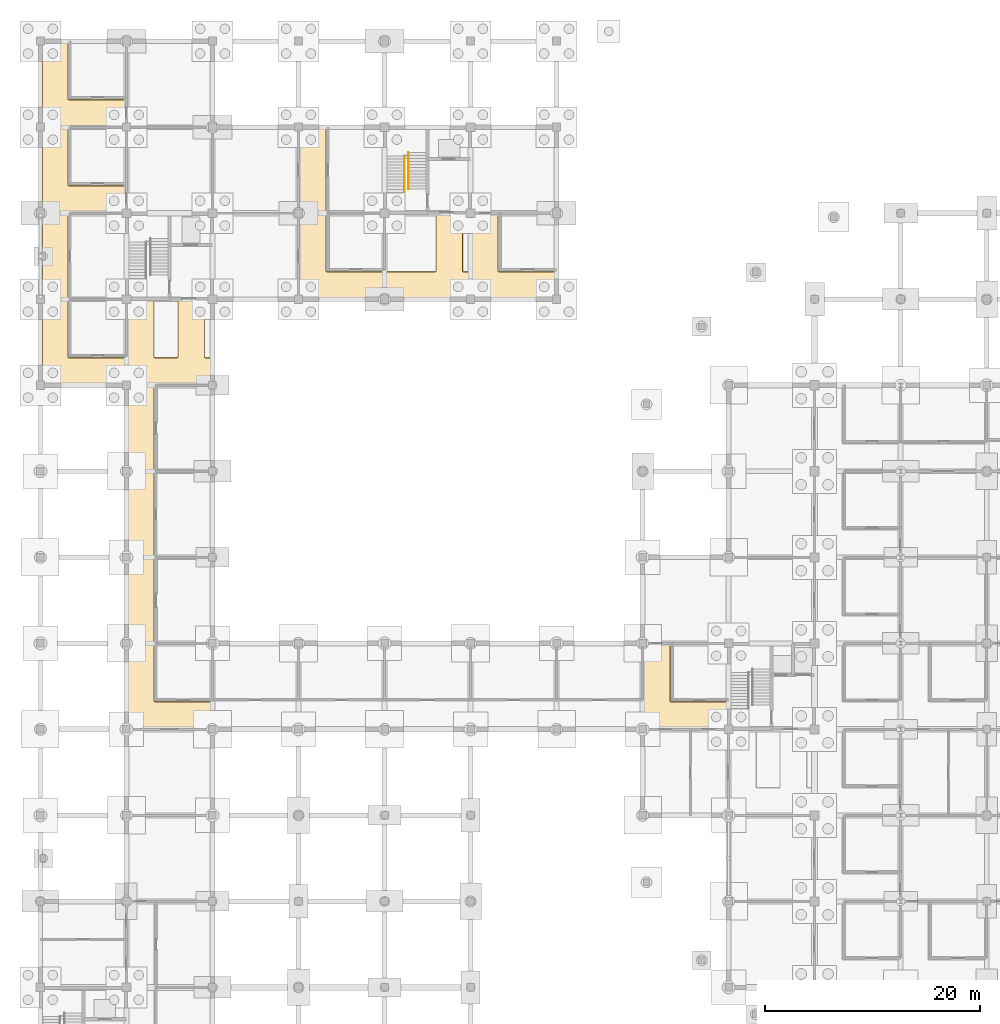
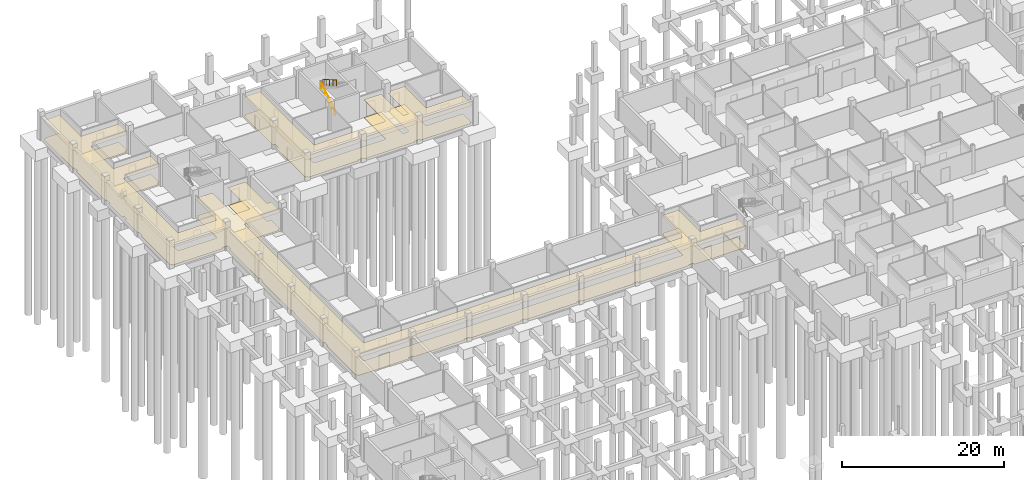
# One storey, part 43 of 48: 4 coverings, 2 railings.
"""IFC4 building model written with IfcOpenShell, lengths in metres."""

from ifc_helpers import new_model, si_unit, derived_unit, direction, frame, origin, origin_2d, place, context, subcontext, project, spatial, polyline, circle, outline, extrude, material, layer, layer_set, type_object, element, save


model = new_model("IFC4")

# Units and contexts
model_context = context("Model", 3, precision=1e-05, world=origin(), true_north=direction((0.0, 1.0)))
body_context = subcontext(model_context, "Body", "Model", "MODEL_VIEW")
ifc_project = project(units=[si_unit("LENGTHUNIT", "METRE"), si_unit("AREAUNIT", "SQUARE_METRE"), si_unit("VOLUMEUNIT", "CUBIC_METRE"), si_unit("PLANEANGLEUNIT", "RADIAN"), si_unit("MASSUNIT", "GRAM", prefix="KILO"), derived_unit("THERMALTRANSMITTANCEUNIT", [(si_unit("MASSUNIT", "GRAM", prefix="KILO"), 1), (si_unit("TIMEUNIT", "SECOND"), -3), (si_unit("THERMODYNAMICTEMPERATUREUNIT", "KELVIN"), -1)])], contexts=[model_context])

# Site, building, storey
site_placement = place(None, origin())
site = spatial("IfcSite", under=ifc_project, at=site_placement, CompositionType="ELEMENT")
building_placement = place(site_placement, origin())
building = spatial("IfcBuilding", under=site, at=building_placement, Name="Veyamyaing Civic Hall", CompositionType="ELEMENT")
storey_placement = place(building_placement, frame((0.0, 0.0, -4.2900390625)))
storey = spatial("IfcBuildingStorey", under=building, at=storey_placement, Name="B1", CompositionType="ELEMENT", Elevation=-4.2900390625)

# Coverings
ifc_material_1 = material(Name="Perforated acoustic gypsum ceiling board")
ifc_layer_1 = layer(ifc_material_1, 0.02490234375, Name="Perforated acoustic gypsum ceiling board")
ifc_layer_set_1 = layer_set([ifc_layer_1], Name="Perforated acoustic gypsum ceiling board")
covering_type_1 = type_object("IfcCoveringType", Name="CLG-01", PredefinedType="CEILING", material=ifc_layer_set_1)
covering_1_placement = place(storey_placement, frame((0.0, 0.0, 2.699951171875)))
element("IfcCovering", 1, at=covering_1_placement, inside=storey, type_object=covering_type_1, Name="Acoustic suspended ceiling CLG-01 B1-C01", PredefinedType="CEILING", context=body_context, shape_type="SweptSolid", body=[
    extrude(outline(polyline([(2.575439453125, 106.643310546875), (2.580810546875, 106.6220703125), (2.597412109375, 106.597412109375), (2.62158203125, 106.581298828125), (2.652587890625, 106.574951171875), (7.925048828125, 106.574951171875), (7.925048828125, 104.360107421875), (7.639892578125, 104.360107421875), (7.639892578125, 104.074951171875), (2.652587890625, 104.074951171875), (2.620849609375, 104.068603515625), (2.6025390625, 104.057861328125), (2.58837890625, 104.0419921875), (2.576904296875, 104.014404296875), (2.574951171875, 98.652587890625), (2.581298828125, 98.62158203125), (2.597412109375, 98.597412109375), (2.62158203125, 98.581298828125), (2.652587890625, 98.574951171875), (7.925048828125, 98.574951171875), (7.925048828125, 96.385009765625), (7.614990234375, 96.385009765625), (7.614990234375, 96.074951171875), (2.65185546875, 96.074951171875), (2.62841796875, 96.071533203125), (2.6083984375, 96.06201171875), (2.5927734375, 96.0478515625), (2.578369140625, 96.02099609375), (2.574951171875, 95.998291015625), (2.574951171875, 82.65185546875), (2.57861328125, 82.62841796875), (2.588134765625, 82.60791015625), (2.5966796875, 82.597412109375), (2.615234375, 82.583740234375), (2.627685546875, 82.57861328125), (2.65185546875, 82.574951171875), (7.998291015625, 82.574951171875), (8.021728515625, 82.57861328125), (8.0419921875, 82.588134765625), (8.052490234375, 82.5966796875), (8.06640625, 82.615234375), (8.0712890625, 82.627685546875), (8.074951171875, 82.65185546875), (8.074951171875, 87.614990234375), (8.385009765625, 87.614990234375), (8.385009765625, 87.925048828125), (10.574951171875, 87.925048828125), (10.574951171875, 82.652587890625), (10.581298828125, 82.620849609375), (10.59228515625, 82.6025390625), (10.6083984375, 82.587890625), (10.62841796875, 82.57861328125), (10.65185546875, 82.574951171875), (12.697509765625, 82.574951171875), (12.729248046875, 82.581298828125), (12.747314453125, 82.59228515625), (12.76220703125, 82.6083984375), (12.771484375, 82.62841796875), (12.77490234375, 82.65185546875), (12.77490234375, 87.925048828125), (15.27490234375, 87.925048828125), (15.275390625, 82.643310546875), (15.28076171875, 82.6220703125), (15.297607421875, 82.5966796875), (15.314697265625, 82.583984375), (15.3349609375, 82.576904296875), (15.844970703125, 82.574951171875), (15.844970703125, 80.3349609375), (15.6650390625, 80.3349609375), (15.6650390625, 80.074951171875), (10.652587890625, 80.074951171875), (10.62158203125, 80.06884765625), (10.597412109375, 80.052734375), (10.580810546875, 80.028076171875), (10.575439453125, 80.006591796875), (10.574951171875, 50.652587890625), (10.581298828125, 50.62158203125), (10.597412109375, 50.597412109375), (10.62158203125, 50.581298828125), (10.652587890625, 50.574951171875), (56.006591796875, 50.575439453125), (56.028076171875, 50.580810546875), (56.052734375, 50.597412109375), (56.06884765625, 50.62158203125), (56.074951171875, 50.652587890625), (56.074951171875, 55.6650390625), (56.3349609375, 55.6650390625), (56.3349609375, 55.925048828125), (58.574951171875, 55.925048828125), (58.574951171875, 50.65185546875), (58.57861328125, 50.62841796875), (58.588134765625, 50.60791015625), (58.5966796875, 50.597412109375), (58.615234375, 50.583740234375), (58.627685546875, 50.57861328125), (58.65185546875, 50.574951171875), (63.925048828125, 50.574951171875), (63.925048828125, 48.385009765625), (63.614990234375, 48.385009765625), (63.614990234375, 48.074951171875), (56.3349609375, 48.074951171875), (56.3349609375, 48.3349609375), (55.6650390625, 48.3349609375), (55.6650390625, 48.155029296875), (48.3349609375, 48.155029296875), (48.3349609375, 48.3349609375), (47.6650390625, 48.3349609375), (47.6650390625, 48.155029296875), (40.3349609375, 48.155029296875), (40.3349609375, 48.3349609375), (39.6650390625, 48.3349609375), (39.6650390625, 48.155029296875), (32.3349609375, 48.155029296875), (32.3349609375, 48.3349609375), (31.6650390625, 48.3349609375), (31.6650390625, 48.155029296875), (24.3349609375, 48.155029296875), (24.3349609375, 48.3349609375), (23.6650390625, 48.3349609375), (23.6650390625, 48.155029296875), (16.3349609375, 48.155029296875), (16.3349609375, 48.3349609375), (15.6650390625, 48.3349609375), (15.6650390625, 48.074951171875), (8.3349609375, 48.074951171875), (8.3349609375, 48.3349609375), (8.155029296875, 48.3349609375), (8.155029296875, 55.6650390625), (8.3349609375, 55.6650390625), (8.3349609375, 56.3349609375), (8.155029296875, 56.3349609375), (8.155029296875, 63.6650390625), (8.3349609375, 63.6650390625), (8.3349609375, 64.3349609375), (8.155029296875, 64.3349609375), (8.155029296875, 71.6650390625), (8.3349609375, 71.6650390625), (8.3349609375, 72.3349609375), (8.155029296875, 72.3349609375), (8.155029296875, 79.639892578125), (8.360107421875, 79.639892578125), (8.360107421875, 80.360107421875), (7.639892578125, 80.360107421875), (7.639892578125, 80.155029296875), (0.360107421875, 80.155029296875), (0.360107421875, 80.360107421875), (0.155029296875, 80.360107421875), (0.155029296875, 87.639892578125), (0.360107421875, 87.639892578125), (0.360107421875, 88.360107421875), (0.155029296875, 88.360107421875), (0.155029296875, 91.715087890625), (0.4599609375, 91.715087890625), (0.4599609375, 92.284912109375), (0.155029296875, 92.284912109375), (0.155029296875, 95.639892578125), (0.360107421875, 95.639892578125), (0.360107421875, 96.360107421875), (0.155029296875, 96.360107421875), (0.155029296875, 103.639892578125), (0.360107421875, 103.639892578125), (0.360107421875, 104.360107421875), (0.155029296875, 104.360107421875), (0.155029296875, 111.639892578125), (0.360107421875, 111.639892578125), (0.360107421875, 111.844970703125), (2.574951171875, 111.844970703125), (2.575439453125, 106.643310546875)])), origin(), (0.0, 0.0, 1.0), 0.025146484375),
])
covering_2_placement = place(storey_placement, frame((0.0, 0.0, 2.699951171875)))
element("IfcCovering", 2, at=covering_2_placement, inside=storey, type_object=covering_type_1, Name="Acoustic suspended ceiling CLG-01 B1-C03", PredefinedType="CEILING", context=body_context, shape_type="SweptSolid", body=[
    extrude(outline(polyline([(26.575439453125, 90.643310546875), (26.580810546875, 90.6220703125), (26.597412109375, 90.597412109375), (26.62158203125, 90.581298828125), (26.652587890625, 90.574951171875), (36.697509765625, 90.574951171875), (36.729248046875, 90.581298828125), (36.747314453125, 90.59228515625), (36.76220703125, 90.6083984375), (36.771484375, 90.62841796875), (36.77490234375, 90.65185546875), (36.77490234375, 95.925048828125), (39.27490234375, 95.925048828125), (39.275390625, 90.643310546875), (39.28076171875, 90.6220703125), (39.29736328125, 90.597412109375), (39.322021484375, 90.580810546875), (39.34326171875, 90.575439453125), (39.998291015625, 90.574951171875), (40.021728515625, 90.57861328125), (40.04150390625, 90.587890625), (40.057373046875, 90.602294921875), (40.071533203125, 90.62890625), (40.074951171875, 90.65185546875), (40.074951171875, 95.614990234375), (40.385009765625, 95.614990234375), (40.385009765625, 95.925048828125), (42.574951171875, 95.925048828125), (42.574951171875, 90.65185546875), (42.57861328125, 90.62841796875), (42.588134765625, 90.60791015625), (42.5966796875, 90.597412109375), (42.615234375, 90.583740234375), (42.627685546875, 90.57861328125), (42.65185546875, 90.574951171875), (47.844970703125, 90.574951171875), (47.844970703125, 88.360107421875), (47.639892578125, 88.360107421875), (47.639892578125, 88.155029296875), (40.360107421875, 88.155029296875), (40.360107421875, 88.360107421875), (39.639892578125, 88.360107421875), (39.639892578125, 88.155029296875), (32.360107421875, 88.155029296875), (32.360107421875, 88.360107421875), (31.639892578125, 88.360107421875), (31.639892578125, 88.155029296875), (24.360107421875, 88.155029296875), (24.360107421875, 88.360107421875), (24.074951171875, 88.360107421875), (24.074951171875, 95.639892578125), (24.360107421875, 95.639892578125), (24.360107421875, 96.360107421875), (24.074951171875, 96.360107421875), (24.074951171875, 103.639892578125), (24.360107421875, 103.639892578125), (24.360107421875, 103.844970703125), (26.574951171875, 103.844970703125), (26.575439453125, 90.643310546875)])), origin(), (0.0, 0.0, 1.0), 0.025146484375),
])
ifc_material_2 = material(Name="Polished Mandalay marble and terrazzo flooring", Category="masonry")
ifc_layer_2 = layer(ifc_material_2, 0.030029296875, Name="Polished Mandalay marble and terrazzo flooring")
ifc_layer_set_2 = layer_set([ifc_layer_2], Name="Polished Mandalay marble and terrazzo flooring")
covering_type_2 = type_object("IfcCoveringType", Name="FLR-01", PredefinedType="FLOORING", material=ifc_layer_set_2)
covering_3_placement = place(storey_placement, origin())
element("IfcCovering", 3, at=covering_3_placement, inside=storey, type_object=covering_type_2, Name="Stone and terrazzo flooring FLR-01 B1-C01", PredefinedType="FLOORING", context=body_context, shape_type="SweptSolid", body=[
    extrude(outline(polyline([(2.550537109375, 106.64013671875), (2.5576171875, 106.61181640625), (2.579345703125, 106.579345703125), (2.61181640625, 106.5576171875), (2.64990234375, 106.550048828125), (7.89990234375, 106.550048828125), (7.89990234375, 104.385009765625), (7.614990234375, 104.385009765625), (7.614990234375, 104.10009765625), (2.64990234375, 104.10009765625), (2.61181640625, 104.09228515625), (2.586669921875, 104.077392578125), (2.56689453125, 104.0556640625), (2.552001953125, 104.01953125), (2.550048828125, 98.64990234375), (2.5576171875, 98.61181640625), (2.579345703125, 98.579345703125), (2.61181640625, 98.5576171875), (2.64990234375, 98.550048828125), (7.89990234375, 98.550048828125), (7.89990234375, 96.409912109375), (7.590087890625, 96.409912109375), (7.590087890625, 96.10009765625), (2.64990234375, 96.10009765625), (2.62109375, 96.095703125), (2.594482421875, 96.0830078125), (2.57275390625, 96.0634765625), (2.55419921875, 96.029052734375), (2.550048828125, 96.0), (2.550048828125, 82.64990234375), (2.55419921875, 82.62109375), (2.56689453125, 82.594482421875), (2.579345703125, 82.579345703125), (2.602783203125, 82.561767578125), (2.62109375, 82.55419921875), (2.64990234375, 82.550048828125), (8.0, 82.550048828125), (8.029052734375, 82.55419921875), (8.0556640625, 82.56689453125), (8.07080078125, 82.579345703125), (8.088134765625, 82.602783203125), (8.095703125, 82.62109375), (8.10009765625, 82.64990234375), (8.10009765625, 87.590087890625), (8.409912109375, 87.590087890625), (8.409912109375, 87.89990234375), (10.550048828125, 87.89990234375), (10.550048828125, 82.64990234375), (10.5576171875, 82.61181640625), (10.57275390625, 82.586669921875), (10.594482421875, 82.56689453125), (10.62109375, 82.55419921875), (10.64990234375, 82.550048828125), (12.699951171875, 82.550048828125), (12.73828125, 82.5576171875), (12.763427734375, 82.57275390625), (12.783203125, 82.594482421875), (12.795654296875, 82.62109375), (12.800048828125, 82.64990234375), (12.800048828125, 87.89990234375), (15.25, 87.89990234375), (15.25048828125, 82.64013671875), (15.257568359375, 82.61181640625), (15.279296875, 82.579345703125), (15.302978515625, 82.561767578125), (15.33056640625, 82.552001953125), (15.820068359375, 82.550048828125), (15.820068359375, 80.360107421875), (15.639892578125, 80.360107421875), (15.639892578125, 80.10009765625), (10.64990234375, 80.10009765625), (10.61181640625, 80.09228515625), (10.579345703125, 80.07080078125), (10.5576171875, 80.038330078125), (10.550537109375, 80.009765625), (10.550048828125, 50.64990234375), (10.5576171875, 50.61181640625), (10.579345703125, 50.579345703125), (10.61181640625, 50.5576171875), (10.64990234375, 50.550048828125), (56.009765625, 50.550537109375), (56.038330078125, 50.5576171875), (56.07080078125, 50.579345703125), (56.09228515625, 50.61181640625), (56.10009765625, 50.64990234375), (56.10009765625, 55.639892578125), (56.360107421875, 55.639892578125), (56.360107421875, 55.89990234375), (58.550048828125, 55.89990234375), (58.550048828125, 50.64990234375), (58.55419921875, 50.62109375), (58.56689453125, 50.594482421875), (58.579345703125, 50.579345703125), (58.602783203125, 50.561767578125), (58.62109375, 50.55419921875), (58.64990234375, 50.550048828125), (63.89990234375, 50.550048828125), (63.89990234375, 48.409912109375), (63.590087890625, 48.409912109375), (63.590087890625, 48.10009765625), (56.360107421875, 48.10009765625), (56.360107421875, 48.360107421875), (55.639892578125, 48.360107421875), (55.639892578125, 48.179931640625), (48.360107421875, 48.179931640625), (48.360107421875, 48.360107421875), (47.639892578125, 48.360107421875), (47.639892578125, 48.179931640625), (40.360107421875, 48.179931640625), (40.360107421875, 48.360107421875), (39.639892578125, 48.360107421875), (39.639892578125, 48.179931640625), (32.360107421875, 48.179931640625), (32.360107421875, 48.360107421875), (31.639892578125, 48.360107421875), (31.639892578125, 48.179931640625), (24.360107421875, 48.179931640625), (24.360107421875, 48.360107421875), (23.639892578125, 48.360107421875), (23.639892578125, 48.179931640625), (16.360107421875, 48.179931640625), (16.360107421875, 48.360107421875), (15.639892578125, 48.360107421875), (15.639892578125, 48.10009765625), (8.360107421875, 48.10009765625), (8.360107421875, 48.360107421875), (8.179931640625, 48.360107421875), (8.179931640625, 55.639892578125), (8.360107421875, 55.639892578125), (8.360107421875, 56.360107421875), (8.179931640625, 56.360107421875), (8.179931640625, 63.639892578125), (8.360107421875, 63.639892578125), (8.360107421875, 64.360107421875), (8.179931640625, 64.360107421875), (8.179931640625, 71.639892578125), (8.360107421875, 71.639892578125), (8.360107421875, 72.360107421875), (8.179931640625, 72.360107421875), (8.179931640625, 79.614990234375), (8.385009765625, 79.614990234375), (8.385009765625, 80.385009765625), (7.614990234375, 80.385009765625), (7.614990234375, 80.179931640625), (0.385009765625, 80.179931640625), (0.385009765625, 80.385009765625), (0.179931640625, 80.385009765625), (0.179931640625, 87.614990234375), (0.385009765625, 87.614990234375), (0.385009765625, 88.385009765625), (0.179931640625, 88.385009765625), (0.179931640625, 91.68994140625), (0.485107421875, 91.68994140625), (0.485107421875, 92.31005859375), (0.179931640625, 92.31005859375), (0.179931640625, 95.614990234375), (0.385009765625, 95.614990234375), (0.385009765625, 96.385009765625), (0.179931640625, 96.385009765625), (0.179931640625, 103.614990234375), (0.385009765625, 103.614990234375), (0.385009765625, 104.385009765625), (0.179931640625, 104.385009765625), (0.179931640625, 111.614990234375), (0.385009765625, 111.614990234375), (0.385009765625, 111.820068359375), (2.550048828125, 111.820068359375), (2.550537109375, 106.64013671875)])), origin(), (0.0, 0.0, 1.0), 0.030029296875),
])
covering_4_placement = place(storey_placement, origin())
element("IfcCovering", 4, at=covering_4_placement, inside=storey, type_object=covering_type_2, Name="Stone and terrazzo flooring FLR-01 B1-C03", PredefinedType="FLOORING", context=body_context, shape_type="SweptSolid", body=[
    extrude(outline(polyline([(26.550537109375, 90.64013671875), (26.5576171875, 90.61181640625), (26.579345703125, 90.579345703125), (26.61181640625, 90.5576171875), (26.64990234375, 90.550048828125), (36.699951171875, 90.550048828125), (36.73828125, 90.5576171875), (36.763427734375, 90.57275390625), (36.783203125, 90.594482421875), (36.795654296875, 90.62109375), (36.800048828125, 90.64990234375), (36.800048828125, 95.89990234375), (39.25, 95.89990234375), (39.25048828125, 90.64013671875), (39.257568359375, 90.61181640625), (39.279296875, 90.579345703125), (39.311767578125, 90.5576171875), (39.340087890625, 90.550537109375), (40.0, 90.550048828125), (40.029052734375, 90.55419921875), (40.0556640625, 90.56689453125), (40.077392578125, 90.586669921875), (40.095703125, 90.62109375), (40.10009765625, 90.64990234375), (40.10009765625, 95.590087890625), (40.409912109375, 95.590087890625), (40.409912109375, 95.89990234375), (42.550048828125, 95.89990234375), (42.550048828125, 90.64990234375), (42.55419921875, 90.62109375), (42.56689453125, 90.594482421875), (42.579345703125, 90.579345703125), (42.602783203125, 90.561767578125), (42.62109375, 90.55419921875), (42.64990234375, 90.550048828125), (47.820068359375, 90.550048828125), (47.820068359375, 88.385009765625), (47.614990234375, 88.385009765625), (47.614990234375, 88.179931640625), (40.385009765625, 88.179931640625), (40.385009765625, 88.385009765625), (39.614990234375, 88.385009765625), (39.614990234375, 88.179931640625), (32.385009765625, 88.179931640625), (32.385009765625, 88.385009765625), (31.614990234375, 88.385009765625), (31.614990234375, 88.179931640625), (24.385009765625, 88.179931640625), (24.385009765625, 88.385009765625), (24.10009765625, 88.385009765625), (24.10009765625, 95.614990234375), (24.385009765625, 95.614990234375), (24.385009765625, 96.385009765625), (24.10009765625, 96.385009765625), (24.10009765625, 103.614990234375), (24.385009765625, 103.614990234375), (24.385009765625, 103.820068359375), (26.550048828125, 103.820068359375), (26.550537109375, 90.64013671875)])), origin(), (0.0, 0.0, 1.0), 0.030029296875),
])

# Railings
ifc_material_3 = material(Name="Steel S355J2", Category="steel")
railing_type = type_object("IfcRailingType", Name="RL-02", PredefinedType="HANDRAIL", material=ifc_material_3)
railing_1_placement = place(storey_placement, frame((33.840087890625, 97.949951171875, 0.1650390625)))
element("IfcRailing", 5, at=railing_1_placement, inside=storey, type_object=railing_type, Name="Stair pitch handrail RL-02 ST-02 B1.1", PredefinedType="HANDRAIL", context=body_context, shape_type="SweptSolid", body=[
    extrude(circle(Radius=0.02392578125, at=origin_2d()), frame((0.0, 0.0, 0.89599609375), z_axis=(0.0, 0.861547751209, 0.507676543073), x_axis=(-1.0, 0.0, 0.0)), (0.0, 0.0, 1.0), 3.900146484375),
    extrude(circle(Radius=0.02099609375, at=origin_2d()), origin(), (0.0, 0.0, 1.0), 0.871826171875),
    extrude(circle(Radius=0.02099609375, at=origin_2d()), frame((0.0, 0.840087890625, 0.4951171875)), (0.0, 0.0, 1.0), 0.871826171875),
    extrude(circle(Radius=0.02099609375, at=origin_2d()), frame((0.0, 1.68017578125, 0.989990234375)), (0.0, 0.0, 1.0), 0.871826171875),
    extrude(circle(Radius=0.02099609375, at=origin_2d()), frame((0.0, 2.52001953125, 1.48486328125)), (0.0, 0.0, 1.0), 0.871826171875),
    extrude(circle(Radius=0.02099609375, at=origin_2d()), frame((0.0, 3.360107421875, 1.97998046875)), (0.0, 0.0, 1.0), 0.871826171875),
])
railing_2_placement = place(storey_placement, frame((34.219970703125, 101.6298828125, 2.31005859375)))
element("IfcRailing", 6, at=railing_2_placement, inside=storey, type_object=railing_type, Name="Stair pitch handrail RL-02 ST-02 B1.2", PredefinedType="HANDRAIL", context=body_context, shape_type="SweptSolid", body=[
    extrude(circle(Radius=0.02392578125, at=origin_2d()), frame((0.0, 0.0, 0.89599609375), z_axis=(0.0, -0.861531615964, 0.507703924246), x_axis=(1.0, 0.0, 0.0)), (0.0, 0.0, 1.0), 3.89990234375),
    extrude(circle(Radius=0.02099609375, at=origin_2d()), origin(), (0.0, 0.0, 1.0), 0.871826171875),
    extrude(circle(Radius=0.02099609375, at=origin_2d()), frame((0.0, -0.83984375, 0.4951171875)), (0.0, 0.0, 1.0), 0.871826171875),
    extrude(circle(Radius=0.02099609375, at=origin_2d()), frame((0.0, -1.679931640625, 0.989990234375)), (0.0, 0.0, 1.0), 0.871826171875),
    extrude(circle(Radius=0.02099609375, at=origin_2d()), frame((0.0, -2.52001953125, 1.48486328125)), (0.0, 0.0, 1.0), 0.871826171875),
    extrude(circle(Radius=0.02099609375, at=origin_2d()), frame((0.0, -3.35986328125, 1.97998046875)), (0.0, 0.0, 1.0), 0.871826171875),
])

save(model, "model.ifc")
